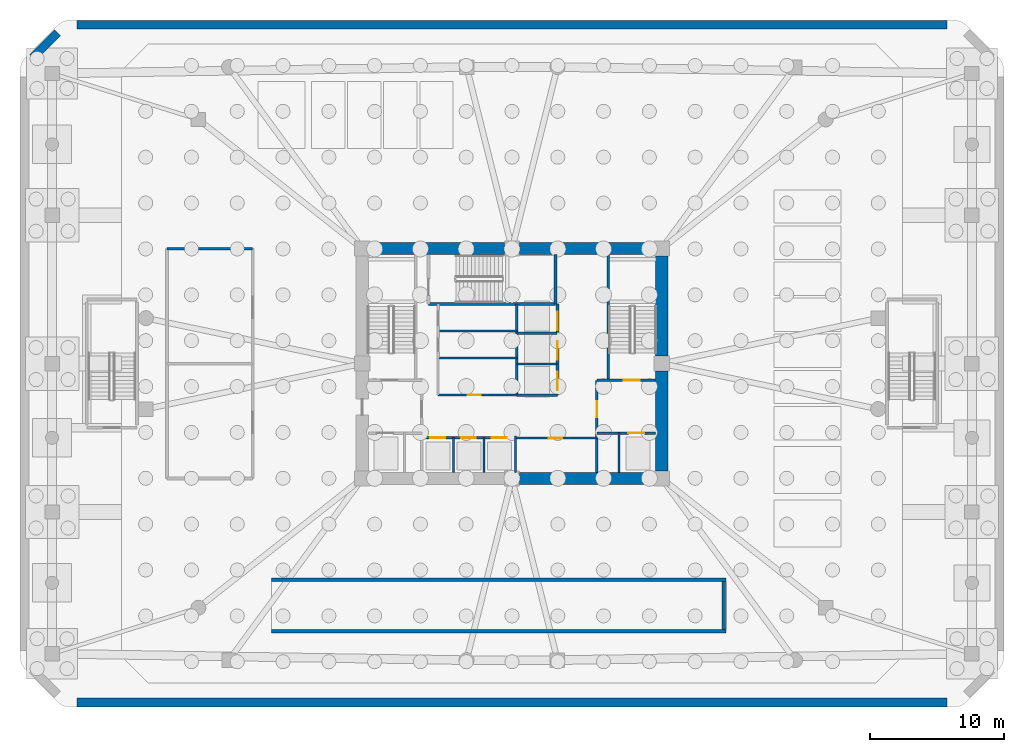
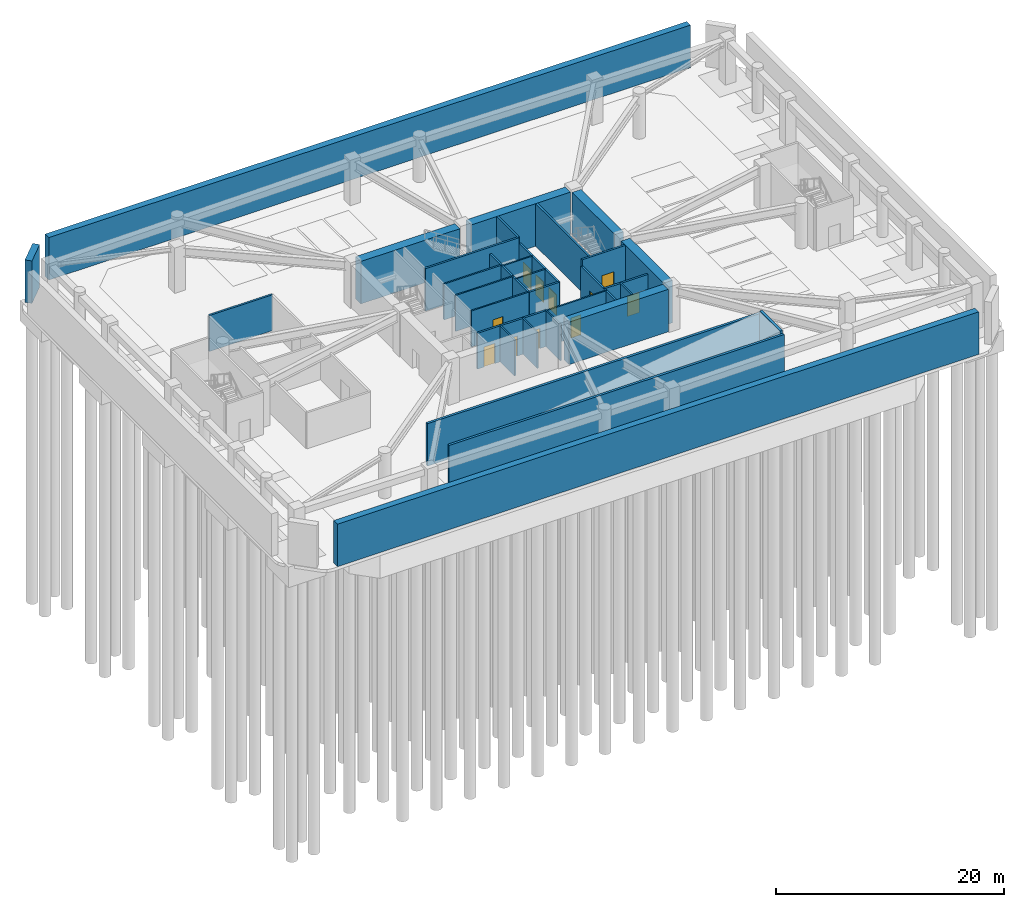
# One storey, part 5 of 11: 32 walls, 11 doors, 11 openings.
"""IFC4 building model written with IfcOpenShell, lengths in metres."""

from ifc_helpers import new_model, si_unit, derived_unit, direction, frame, frame_2d, origin, place, context, subcontext, project, spatial, rectangle, extrude, material, layer, layer_set, type_object, element, fill, save


model = new_model("IFC4")

# Units and contexts
model_context = context("Model", 3, precision=1e-05, world=origin(), true_north=direction((0.0, 1.0)))
body_context = subcontext(model_context, "Body", "Model", "MODEL_VIEW")
ifc_project = project(units=[si_unit("LENGTHUNIT", "METRE"), si_unit("AREAUNIT", "SQUARE_METRE"), si_unit("VOLUMEUNIT", "CUBIC_METRE"), si_unit("PLANEANGLEUNIT", "RADIAN"), si_unit("MASSUNIT", "GRAM", prefix="KILO"), derived_unit("THERMALTRANSMITTANCEUNIT", [(si_unit("POWERUNIT", "WATT"), 1), (si_unit("LENGTHUNIT", "METRE"), -2), (si_unit("THERMODYNAMICTEMPERATUREUNIT", "KELVIN"), -1)])], contexts=[model_context])

# Site, building, storey
site_placement = place(None, origin())
site = spatial("IfcSite", under=ifc_project, at=site_placement, CompositionType="ELEMENT")
building_placement = place(site_placement, origin())
building = spatial("IfcBuilding", under=site, at=building_placement, Name="Koralith Skygarden Medical Center", CompositionType="ELEMENT")
storey_placement = place(building_placement, frame((0.0, 0.0, -9.719970703125)))
storey = spatial("IfcBuildingStorey", under=building, at=storey_placement, Name="B2", CompositionType="ELEMENT", Elevation=-9.719970703125)

# Walls
ifc_material_1 = material(Name="Concrete C55/67", Category="concrete")
ifc_layer_1 = layer(ifc_material_1, 0.64990234375)
ifc_layer_set_1 = layer_set([ifc_layer_1], Name="Concrete C55/67")
wall_type_1 = type_object("IfcWallType", Name="Basement Retaining Wall 650", PredefinedType="SOLIDWALL", material=ifc_layer_set_1)
for number, where, z_axis, x_axis, name in (
    (1, (4.455078125, 0.550048828125, 0.0), (0.0, 0.0, 1.0), (1.0, 0.0, 0.0), "B2 Basement Retaining Wall S"),
    (2, (69.544921875, 51.25, 0.0), (0.0, 0.0, 1.0), (-1.0, 0.0, 0.0), "B2 Basement Retaining Wall N"),
):
    element("IfcWall", number, at=place(storey_placement, frame(where, z_axis=z_axis, x_axis=x_axis)), inside=storey, type_object=wall_type_1, Name=name, PredefinedType="SOLIDWALL", context=body_context, shape_type="SweptSolid", body=[
        extrude(rectangle(XDim=65.08984375, YDim=0.64990234375, at=frame_2d((32.544921875, 0.0))), origin(), (0.0, 0.0, 1.0), 4.56005859375),
    ])
wall_1_placement = place(storey_placement, frame((3.00390625, 50.64892578125, 0.0), z_axis=(0.0, 0.0, 1.0), x_axis=(-0.707106781187, -0.707106781187, 0.0)))
element("IfcWall", 3, at=wall_1_placement, inside=storey, type_object=wall_type_1, Name="B2 Basement Retaining Wall NW", PredefinedType="SOLIDWALL", context=body_context, shape_type="SweptSolid", body=[
    extrude(rectangle(XDim=2.62060546875, YDim=0.64990234375, at=frame_2d((1.310302734375, 0.0))), origin(), (0.0, 0.0, 1.0), 4.56005859375),
])

# Wall, opening, door
ifc_material_2 = material(Name="Gypsum Board Partition")
ifc_layer_2 = layer(ifc_material_2, 0.14990234375)
ifc_layer_set_2 = layer_set([ifc_layer_2], Name="Gypsum Board Partition")
wall_type_2 = type_object("IfcWallType", Name="Clinical Acoustic Partition 150", PredefinedType="PARTITIONING", material=ifc_layer_set_2)
wall_2_placement = place(storey_placement, frame((37.25, 20.320068359375, 0.0), z_axis=(0.0, 0.0, 1.0), x_axis=(1.0, 0.0, 0.0)))
wall_2 = element("IfcWall", 4, at=wall_2_placement, inside=storey, type_object=wall_type_2, Name="B2 Clinical Acoustic Partition 150 W-CORE-B2-PM-BN", PredefinedType="PARTITIONING", context=body_context, shape_type="SweptSolid", body=[
    extrude(rectangle(XDim=6.10009765625, YDim=0.14990234375, at=frame_2d((3.050048828125, 0.0))), origin(), (0.0, 0.0, 1.0), 3.849853515625),
])
opening_1_placement = place(wall_2_placement, frame((2.5, 0.0, 0.0)))
opening_1 = element("IfcOpeningElement", 5, at=opening_1_placement, cuts=wall_2, Name="Opening D-SUP", PredefinedType="OPENING", context=body_context, shape_type="SweptSolid", body=[
    extrude(rectangle(XDim=1.0, YDim=2.14990234375, at=frame_2d((0.5, 1.074951171875))), frame((0.0, 0.0849609375, 0.0), z_axis=(0.0, -1.0, 0.0), x_axis=(1.0, 0.0, 0.0)), (0.0, 0.0, 1.0), 0.169921875),
])
ifc_material_3 = material(Name="Aluminium 6063-T6", Category="aluminium")
door_type_1 = type_object("IfcDoorType", Name="Clinical Support Door D-SUP 1000", OperationType="NOTDEFINED", PredefinedType="DOOR", material=ifc_material_3)
door_1_placement = place(opening_1_placement, frame((1.0, 0.0, 0.0), z_axis=(0.0, 0.0, 1.0), x_axis=(-1.0, 0.0, 0.0)))
door_1 = element("IfcDoor", 6, at=door_1_placement, inside=storey, type_object=door_type_1, Name="B2 Sterile Vault Door", OperationType="SINGLE_SWING_LEFT", OverallHeight=2.14990234375, OverallWidth=1.0, PredefinedType="DOOR", context=body_context, shape_type="SweptSolid", body=[
    extrude(rectangle(XDim=1.0, YDim=2.14990234375, at=frame_2d((0.5, 1.074951171875))), frame((0.0, 0.02490234375, 0.0), z_axis=(0.0, -1.0, 0.0), x_axis=(1.0, 0.0, 0.0)), (0.0, 0.0, 1.0), 0.050048828125),
])
fill(opening_1, door_1)

wall_3_placement = place(storey_placement, frame((31.47998046875, 23.56005859375, 0.0), z_axis=(0.0, 0.0, 1.0), x_axis=(1.0, 0.0, 0.0)))
wall_3 = element("IfcWall", 7, at=wall_3_placement, inside=storey, type_object=wall_type_2, Name="B2 Clinical Acoustic Partition 150 W-CORE-B2-PH-BS", PredefinedType="PARTITIONING", context=body_context, shape_type="SweptSolid", body=[
    extrude(rectangle(XDim=5.89013671875, YDim=0.14990234375, at=frame_2d((2.945068359375, 0.0))), origin(), (0.0, 0.0, 1.0), 3.849853515625),
])
opening_2_placement = place(wall_3_placement, frame((2.199951171875, 0.0, 0.0)))
opening_2 = element("IfcOpeningElement", 8, at=opening_2_placement, cuts=wall_3, Name="Opening D-SUP", PredefinedType="OPENING", context=body_context, shape_type="SweptSolid", body=[
    extrude(rectangle(XDim=1.0, YDim=2.14990234375, at=frame_2d((0.5, 1.074951171875))), frame((0.0, 0.0849609375, 0.0), z_axis=(0.0, -1.0, 0.0), x_axis=(1.0, 0.0, 0.0)), (0.0, 0.0, 1.0), 0.169921875),
])
door_2_placement = place(opening_2_placement, origin())
door_2 = element("IfcDoor", 9, at=door_2_placement, inside=storey, type_object=door_type_1, Name="B2 Pharmacy Vault Door", OperationType="SINGLE_SWING_LEFT", OverallHeight=2.14990234375, OverallWidth=1.0, PredefinedType="DOOR", context=body_context, shape_type="SweptSolid", body=[
    extrude(rectangle(XDim=1.0, YDim=2.14990234375, at=frame_2d((0.5, 1.074951171875))), frame((0.0, 0.02490234375, 0.0), z_axis=(0.0, -1.0, 0.0), x_axis=(1.0, 0.0, 0.0)), (0.0, 0.0, 1.0), 0.050048828125),
])
fill(opening_2, door_2)

# Wall
wall_4_placement = place(storey_placement, frame((31.47998046875, 26.320068359375, 0.0), z_axis=(0.0, 0.0, 1.0), x_axis=(1.0, 0.0, 0.0)))
element("IfcWall", 10, at=wall_4_placement, inside=storey, type_object=wall_type_2, Name="B2 Clinical Acoustic Partition 150 W-CORE-B2-PH-BN", PredefinedType="PARTITIONING", context=body_context, shape_type="SweptSolid", body=[
    extrude(rectangle(XDim=5.89013671875, YDim=0.14990234375, at=frame_2d((2.945068359375, 0.0))), origin(), (0.0, 0.0, 1.0), 3.849853515625),
])

# Wall, opening, door
ifc_layer_3 = layer(ifc_material_2, 0.199951171875)
ifc_layer_set_3 = layer_set([ifc_layer_3], Name="Gypsum Board Partition")
wall_type_3 = type_object("IfcWallType", Name="Fire Shaft Wall 200", PredefinedType="SOLIDWALL", material=ifc_layer_set_3)
wall_5_placement = place(storey_placement, frame((43.35009765625, 20.699951171875, 0.0), z_axis=(0.0, 0.0, 1.0), x_axis=(1.0, 0.0, 0.0)))
wall_5 = element("IfcWall", 11, at=wall_5_placement, inside=storey, type_object=wall_type_3, Name="B2 Fire Shaft Wall 200 W-CORE-B2-FF2-N", PredefinedType="SOLIDWALL", context=body_context, shape_type="SweptSolid", body=[
    extrude(rectangle(XDim=4.39990234375, YDim=0.199951171875, at=frame_2d((2.199951171875, 0.0))), origin(), (0.0, 0.0, 1.0), 3.849853515625),
])
opening_3_placement = place(wall_5_placement, frame((2.35009765625, 0.0, 0.0)))
opening_3 = element("IfcOpeningElement", 12, at=opening_3_placement, cuts=wall_5, Name="Opening LD-FF", PredefinedType="OPENING", context=body_context, shape_type="SweptSolid", body=[
    extrude(rectangle(XDim=1.199951171875, YDim=2.14990234375, at=frame_2d((0.60009765625, 1.074951171875))), frame((0.0, 0.10986328125, 0.0), z_axis=(0.0, -1.0, 0.0), x_axis=(1.0, 0.0, 0.0)), (0.0, 0.0, 1.0), 0.219970703125),
])
ifc_material_4 = material(Name="Steel ASTM A500 Grade C", Category="steel")
door_type_2 = type_object("IfcDoorType", Name="Fire Lift Sliding Landing Door LD-FF 1200", OperationType="NOTDEFINED", PredefinedType="DOOR", material=ifc_material_4)
door_3_placement = place(opening_3_placement, origin())
door_3 = element("IfcDoor", 13, at=door_3_placement, inside=storey, type_object=door_type_2, Name="B2 Fire Service Elevator FF2 Landing Door", OperationType="SLIDING_TO_RIGHT", OverallHeight=2.14990234375, OverallWidth=1.199951171875, PredefinedType="DOOR", context=body_context, shape_type="SweptSolid", body=[
    extrude(rectangle(XDim=1.199951171875, YDim=2.14990234375, at=frame_2d((0.60009765625, 1.074951171875))), frame((0.0, 0.02490234375, 0.0), z_axis=(0.0, -1.0, 0.0), x_axis=(1.0, 0.0, 0.0)), (0.0, 0.0, 1.0), 0.050048828125),
])
fill(opening_3, door_3)

wall_6_placement = place(storey_placement, frame((43.35009765625, 17.75, 0.0), z_axis=(0.0, 0.0, 1.0), x_axis=(0.0, 1.0, 0.0)))
wall_6 = element("IfcWall", 14, at=wall_6_placement, inside=storey, type_object=wall_type_3, Name="B2 Fire Shaft Wall 200 W-CORE-B2-FSAEE-W", PredefinedType="SOLIDWALL", context=body_context, shape_type="SweptSolid", body=[
    extrude(rectangle(XDim=6.89990234375, YDim=0.199951171875, at=frame_2d((3.449951171875, 0.0))), origin(), (0.0, 0.0, 1.0), 3.849853515625),
])
opening_4_placement = place(wall_6_placement, frame((4.14990234375, 0.0, 0.0)))
opening_4 = element("IfcOpeningElement", 15, at=opening_4_placement, cuts=wall_6, Name="Opening D-ST60", PredefinedType="OPENING", context=body_context, shape_type="SweptSolid", body=[
    extrude(rectangle(XDim=1.199951171875, YDim=2.14990234375, at=frame_2d((0.60009765625, 1.074951171875))), frame((0.0, 0.10986328125, 0.0), z_axis=(0.0, -1.0, 0.0), x_axis=(1.0, 0.0, 0.0)), (0.0, 0.0, 1.0), 0.219970703125),
])
door_type_3 = type_object("IfcDoorType", Name="Smokeproof Stair Fire Door FD60S 1200", OperationType="NOTDEFINED", PredefinedType="DOOR", material=ifc_material_4)
door_4_placement = place(opening_4_placement, frame((1.199951171875, 0.0, 0.0), z_axis=(0.0, 0.0, 1.0), x_axis=(-1.0, 0.0, 0.0)))
door_4 = element("IfcDoor", 16, at=door_4_placement, inside=storey, type_object=door_type_3, Name="B2 East Firefighting Lobby Inner Fire Door", OperationType="SINGLE_SWING_RIGHT", OverallHeight=2.14990234375, OverallWidth=1.199951171875, PredefinedType="DOOR", context=body_context, shape_type="SweptSolid", body=[
    extrude(rectangle(XDim=1.199951171875, YDim=2.14990234375, at=frame_2d((0.60009765625, 1.074951171875))), frame((0.0, 0.02490234375, 0.0), z_axis=(0.0, -1.0, 0.0), x_axis=(1.0, 0.0, 0.0)), (0.0, 0.0, 1.0), 0.050048828125),
])
fill(opening_4, door_4)

# Wall, openings, doors
wall_7_placement = place(storey_placement, frame((30.25, 20.360107421875, 0.0), z_axis=(0.0, 0.0, 1.0), x_axis=(1.0, 0.0, 0.0)))
wall_7 = element("IfcWall", 17, at=wall_7_placement, inside=storey, type_object=wall_type_3, Name="B2 Fire Shaft Wall 200 W-CORE-B2-PL-N", PredefinedType="SOLIDWALL", context=body_context, shape_type="SweptSolid", body=[
    extrude(rectangle(XDim=7.0, YDim=0.199951171875, at=frame_2d((3.5, 0.0))), origin(), (0.0, 0.0, 1.0), 3.849853515625),
])
opening_5_placement = place(wall_7_placement, frame((0.64990234375, 0.0, 0.0)))
opening_5 = element("IfcOpeningElement", 18, at=opening_5_placement, cuts=wall_7, Name="Opening LD-P", PredefinedType="OPENING", context=body_context, shape_type="SweptSolid", body=[
    extrude(rectangle(XDim=1.10009765625, YDim=2.14990234375, at=frame_2d((0.550048828125, 1.074951171875))), frame((0.0, 0.10986328125, 0.0), z_axis=(0.0, -1.0, 0.0), x_axis=(1.0, 0.0, 0.0)), (0.0, 0.0, 1.0), 0.219970703125),
])
opening_6_placement = place(wall_7_placement, frame((2.949951171875, 0.0, 0.0)))
opening_6 = element("IfcOpeningElement", 19, at=opening_6_placement, cuts=wall_7, Name="Opening LD-P", PredefinedType="OPENING", context=body_context, shape_type="SweptSolid", body=[
    extrude(rectangle(XDim=1.10009765625, YDim=2.14990234375, at=frame_2d((0.550048828125, 1.074951171875))), frame((0.0, 0.10986328125, 0.0), z_axis=(0.0, -1.0, 0.0), x_axis=(1.0, 0.0, 0.0)), (0.0, 0.0, 1.0), 0.219970703125),
])
opening_7_placement = place(wall_7_placement, frame((5.25, 0.0, 0.0)))
opening_7 = element("IfcOpeningElement", 20, at=opening_7_placement, cuts=wall_7, Name="Opening LD-P", PredefinedType="OPENING", context=body_context, shape_type="SweptSolid", body=[
    extrude(rectangle(XDim=1.10009765625, YDim=2.14990234375, at=frame_2d((0.550048828125, 1.074951171875))), frame((0.0, 0.10986328125, 0.0), z_axis=(0.0, -1.0, 0.0), x_axis=(1.0, 0.0, 0.0)), (0.0, 0.0, 1.0), 0.219970703125),
])
door_type_4 = type_object("IfcDoorType", Name="Passenger Lift Sliding Landing Door LD-P 1100", OperationType="NOTDEFINED", PredefinedType="DOOR", material=ifc_material_4)
door_5_placement = place(opening_5_placement, origin())
door_5 = element("IfcDoor", 21, at=door_5_placement, inside=storey, type_object=door_type_4, Name="B2 Passenger Elevator PL1 Landing Door", OperationType="SLIDING_TO_LEFT", OverallHeight=2.14990234375, OverallWidth=1.10009765625, PredefinedType="DOOR", context=body_context, shape_type="SweptSolid", body=[
    extrude(rectangle(XDim=1.10009765625, YDim=2.14990234375, at=frame_2d((0.550048828125, 1.074951171875))), frame((0.0, 0.02490234375, 0.0), z_axis=(0.0, -1.0, 0.0), x_axis=(1.0, 0.0, 0.0)), (0.0, 0.0, 1.0), 0.050048828125),
])
fill(opening_5, door_5)
door_6_placement = place(opening_6_placement, origin())
door_6 = element("IfcDoor", 22, at=door_6_placement, inside=storey, type_object=door_type_4, Name="B2 Passenger Elevator PL2 Landing Door", OperationType="SLIDING_TO_LEFT", OverallHeight=2.14990234375, OverallWidth=1.10009765625, PredefinedType="DOOR", context=body_context, shape_type="SweptSolid", body=[
    extrude(rectangle(XDim=1.10009765625, YDim=2.14990234375, at=frame_2d((0.550048828125, 1.074951171875))), frame((0.0, 0.02490234375, 0.0), z_axis=(0.0, -1.0, 0.0), x_axis=(1.0, 0.0, 0.0)), (0.0, 0.0, 1.0), 0.050048828125),
])
fill(opening_6, door_6)
door_7_placement = place(opening_7_placement, origin())
door_7 = element("IfcDoor", 23, at=door_7_placement, inside=storey, type_object=door_type_4, Name="B2 Passenger Elevator PL3 Landing Door", OperationType="SLIDING_TO_LEFT", OverallHeight=2.14990234375, OverallWidth=1.10009765625, PredefinedType="DOOR", context=body_context, shape_type="SweptSolid", body=[
    extrude(rectangle(XDim=1.10009765625, YDim=2.14990234375, at=frame_2d((0.550048828125, 1.074951171875))), frame((0.0, 0.02490234375, 0.0), z_axis=(0.0, -1.0, 0.0), x_axis=(1.0, 0.0, 0.0)), (0.0, 0.0, 1.0), 0.050048828125),
])
fill(opening_7, door_7)

# Walls
wall_8_placement = place(storey_placement, frame((37.35009765625, 23.5400390625, 0.0), z_axis=(0.0, 0.0, 1.0), x_axis=(0.0, 1.0, 0.0)))
element("IfcWall", 24, at=wall_8_placement, inside=storey, type_object=wall_type_3, Name="B2 Fire Shaft Wall 200 W-CORE-B2-SV-W", PredefinedType="SOLIDWALL", context=body_context, shape_type="SweptSolid", body=[
    extrude(rectangle(XDim=6.820068359375, YDim=0.199951171875, at=frame_2d((3.41015625, 0.0))), origin(), (0.0, 0.0, 1.0), 3.849853515625),
])
wall_9_placement = place(storey_placement, frame((37.35009765625, 23.5400390625, 0.0), z_axis=(0.0, 0.0, 1.0), x_axis=(1.0, 0.0, 0.0)))
element("IfcWall", 25, at=wall_9_placement, inside=storey, type_object=wall_type_3, Name="B2 Fire Shaft Wall 200 W-CORE-B2-SV-S", PredefinedType="SOLIDWALL", context=body_context, shape_type="SweptSolid", body=[
    extrude(rectangle(XDim=3.0498046875, YDim=0.199951171875, at=frame_2d((1.52490234375, 0.0))), origin(), (0.0, 0.0, 1.0), 3.849853515625),
])

# Wall, openings, doors
wall_10_placement = place(storey_placement, frame((40.39990234375, 23.5400390625, 0.0), z_axis=(0.0, 0.0, 1.0), x_axis=(0.0, 1.0, 0.0)))
wall_10 = element("IfcWall", 26, at=wall_10_placement, inside=storey, type_object=wall_type_3, Name="B2 Fire Shaft Wall 200 W-CORE-B2-SV-E", PredefinedType="SOLIDWALL", context=body_context, shape_type="SweptSolid", body=[
    extrude(rectangle(XDim=6.820068359375, YDim=0.199951171875, at=frame_2d((3.41015625, 0.0))), origin(), (0.0, 0.0, 1.0), 3.849853515625),
])
opening_8_placement = place(wall_10_placement, frame((0.35009765625, 0.0, 0.0)))
opening_8 = element("IfcOpeningElement", 27, at=opening_8_placement, cuts=wall_10, Name="Opening LD-SV", PredefinedType="OPENING", context=body_context, shape_type="SweptSolid", body=[
    extrude(rectangle(XDim=1.39990234375, YDim=2.199951171875, at=frame_2d((0.699951171875, 1.10009765625))), frame((0.0, 0.10986328125, 0.0), z_axis=(0.0, -1.0, 0.0), x_axis=(1.0, 0.0, 0.0)), (0.0, 0.0, 1.0), 0.219970703125),
])
opening_9_placement = place(wall_10_placement, frame((2.64990234375, 0.0, 0.0)))
opening_9 = element("IfcOpeningElement", 28, at=opening_9_placement, cuts=wall_10, Name="Opening LD-SV", PredefinedType="OPENING", context=body_context, shape_type="SweptSolid", body=[
    extrude(rectangle(XDim=1.39990234375, YDim=2.199951171875, at=frame_2d((0.699951171875, 1.10009765625))), frame((0.0, 0.10986328125, 0.0), z_axis=(0.0, -1.0, 0.0), x_axis=(1.0, 0.0, 0.0)), (0.0, 0.0, 1.0), 0.219970703125),
])
opening_10_placement = place(wall_10_placement, frame((4.85009765625, 0.0, 0.0)))
opening_10 = element("IfcOpeningElement", 29, at=opening_10_placement, cuts=wall_10, Name="Opening LD-SV", PredefinedType="OPENING", context=body_context, shape_type="SweptSolid", body=[
    extrude(rectangle(XDim=1.39990234375, YDim=2.199951171875, at=frame_2d((0.699951171875, 1.10009765625))), frame((0.0, 0.10986328125, 0.0), z_axis=(0.0, -1.0, 0.0), x_axis=(1.0, 0.0, 0.0)), (0.0, 0.0, 1.0), 0.219970703125),
])
door_type_5 = type_object("IfcDoorType", Name="Bed Lift Sliding Landing Door LD-SV 1400", OperationType="NOTDEFINED", PredefinedType="DOOR", material=ifc_material_4)
door_8_placement = place(opening_8_placement, origin())
door_8 = element("IfcDoor", 30, at=door_8_placement, inside=storey, type_object=door_type_5, Name="B2 Bed Elevator BD1 Landing Door", OperationType="SLIDING_TO_LEFT", OverallHeight=2.199951171875, OverallWidth=1.39990234375, PredefinedType="DOOR", context=body_context, shape_type="SweptSolid", body=[
    extrude(rectangle(XDim=1.39990234375, YDim=2.199951171875, at=frame_2d((0.699951171875, 1.10009765625))), frame((0.0, 0.02490234375, 0.0), z_axis=(0.0, -1.0, 0.0), x_axis=(1.0, 0.0, 0.0)), (0.0, 0.0, 1.0), 0.050048828125),
])
fill(opening_8, door_8)
door_9_placement = place(opening_9_placement, origin())
door_9 = element("IfcDoor", 31, at=door_9_placement, inside=storey, type_object=door_type_5, Name="B2 Service Elevator BD2 Landing Door", OperationType="SLIDING_TO_LEFT", OverallHeight=2.199951171875, OverallWidth=1.39990234375, PredefinedType="DOOR", context=body_context, shape_type="SweptSolid", body=[
    extrude(rectangle(XDim=1.39990234375, YDim=2.199951171875, at=frame_2d((0.699951171875, 1.10009765625))), frame((0.0, 0.02490234375, 0.0), z_axis=(0.0, -1.0, 0.0), x_axis=(1.0, 0.0, 0.0)), (0.0, 0.0, 1.0), 0.050048828125),
])
fill(opening_9, door_9)
door_10_placement = place(opening_10_placement, origin())
door_10 = element("IfcDoor", 32, at=door_10_placement, inside=storey, type_object=door_type_5, Name="B2 Trauma Elevator TR1 Landing Door", OperationType="SLIDING_TO_RIGHT", OverallHeight=2.199951171875, OverallWidth=1.39990234375, PredefinedType="DOOR", context=body_context, shape_type="SweptSolid", body=[
    extrude(rectangle(XDim=1.39990234375, YDim=2.199951171875, at=frame_2d((0.699951171875, 1.10009765625))), frame((0.0, 0.02490234375, 0.0), z_axis=(0.0, -1.0, 0.0), x_axis=(1.0, 0.0, 0.0)), (0.0, 0.0, 1.0), 0.050048828125),
])
fill(opening_10, door_10)

# Walls
wall_11_placement = place(storey_placement, frame((11.199951171875, 34.5, 0.0), z_axis=(0.0, 0.0, 1.0), x_axis=(1.0, 0.0, 0.0)))
element("IfcWall", 33, at=wall_11_placement, inside=storey, type_object=wall_type_3, Name="B2 Fire Shaft Wall 200 W-BASE-B2-BLKN", PredefinedType="SOLIDWALL", context=body_context, shape_type="SweptSolid", body=[
    extrude(rectangle(XDim=6.400146484375, YDim=0.199951171875, at=frame_2d((3.2001953125, 0.0))), origin(), (0.0, 0.0, 1.0), 3.849853515625),
])
ifc_material_5 = material(Name="Concrete C70/85", Category="concrete")
ifc_layer_4 = layer(ifc_material_5, 0.89990234375)
ifc_layer_set_4 = layer_set([ifc_layer_4], Name="Concrete C70/85")
wall_type_4 = type_object("IfcWallType", Name="Lower Core Shear Wall 900", PredefinedType="SHEAR", material=ifc_layer_set_4)
wall_12_placement = place(storey_placement, frame((37.56494140625, 17.300048828125, 0.0), z_axis=(0.0, 0.0, 1.0), x_axis=(1.0, 0.0, 0.0)))
element("IfcWall", 34, at=wall_12_placement, inside=storey, type_object=wall_type_4, Name="B2 Core Shear Wall Segment 2", PredefinedType="SHEAR", context=body_context, shape_type="SweptSolid", body=[
    extrude(rectangle(XDim=10.070068359375, YDim=0.89990234375, at=frame_2d((5.03515625, 0.0))), origin(), (0.0, 0.0, 1.0), 4.56005859375),
])
for number, where, z_axis, x_axis, name in (
    (35, (48.199951171875, 17.864990234375, 0.0), (0.0, 0.0, 1.0), (0.0, 1.0, 0.0), "B2 Core Shear Wall Segment 3"),
    (36, (48.199951171875, 26.465087890625, 0.0), (0.0, 0.0, 1.0), (0.0, 1.0, 0.0), "B2 Core Shear Wall Segment 4"),
):
    element("IfcWall", number, at=place(storey_placement, frame(where, z_axis=z_axis, x_axis=x_axis)), inside=storey, type_object=wall_type_4, Name=name, PredefinedType="SHEAR", context=body_context, shape_type="SweptSolid", body=[
        extrude(rectangle(XDim=7.469970703125, YDim=0.89990234375, at=frame_2d((3.73486328125, 0.0))), origin(), (0.0, 0.0, 1.0), 4.56005859375),
    ])
for number, where, z_axis, x_axis, name in (
    (37, (47.635009765625, 34.5, 0.0), (0.0, 0.0, 1.0), (-1.0, 0.0, 0.0), "B2 Core Shear Wall Segment 5"),
    (38, (36.43505859375, 34.5, 0.0), (0.0, 0.0, 1.0), (-1.0, 0.0, 0.0), "B2 Core Shear Wall Segment 6"),
):
    element("IfcWall", number, at=place(storey_placement, frame(where, z_axis=z_axis, x_axis=x_axis)), inside=storey, type_object=wall_type_4, Name=name, PredefinedType="SHEAR", context=body_context, shape_type="SweptSolid", body=[
        extrude(rectangle(XDim=10.070068359375, YDim=0.89990234375, at=frame_2d((5.03515625, 0.0))), origin(), (0.0, 0.0, 1.0), 4.56005859375),
    ])
ifc_layer_5 = layer(ifc_material_2, 0.1650390625)
ifc_layer_set_5 = layer_set([ifc_layer_5], Name="Gypsum Board Partition")
wall_type_5 = type_object("IfcWallType", Name="Plumbing Wet Wall 165", PredefinedType="PLUMBINGWALL", material=ifc_layer_set_5)
wall_13_placement = place(storey_placement, frame((31.47998046875, 28.340087890625, 0.0), z_axis=(0.0, 0.0, 1.0), x_axis=(1.0, 0.0, 0.0)))
element("IfcWall", 39, at=wall_13_placement, inside=storey, type_object=wall_type_5, Name="B2 Plumbing Wet Wall 165 W-CORE-B2-FLEX-H0", PredefinedType="PLUMBINGWALL", context=body_context, shape_type="SweptSolid", body=[
    extrude(rectangle(XDim=5.8701171875, YDim=0.1650390625, at=frame_2d((2.93505859375, 0.0))), origin(), (0.0, 0.0, 1.0), 3.849853515625),
])
ifc_layer_6 = layer(ifc_material_2, 0.14990234375)
ifc_layer_set_6 = layer_set([ifc_layer_6], Name="Gypsum Board Partition")
wall_type_6 = type_object("IfcWallType", Name="Shaft Partition Wall 150", PredefinedType="PARTITIONING", material=ifc_layer_set_6)
wall_14_placement = place(storey_placement, frame((45.02001953125, 17.75, 0.0), z_axis=(0.0, 0.0, 1.0), x_axis=(0.0, 1.0, 0.0)))
element("IfcWall", 40, at=wall_14_placement, inside=storey, type_object=wall_type_6, Name="B2 Shaft Partition Wall 150 W-CORE-B2-RSRE-DIV", PredefinedType="PARTITIONING", context=body_context, shape_type="SweptSolid", body=[
    extrude(rectangle(XDim=2.949951171875, YDim=0.14990234375, at=frame_2d((1.47509765625, 0.0))), origin(), (0.0, 0.0, 1.0), 3.849853515625),
])
for number, where, z_axis, x_axis, name in (
    (41, (32.6201171875, 17.75, 0.0), (0.0, 0.0, 1.0), (0.0, 1.0, 0.0), "B2 Shaft Partition Wall 150 W-CORE-B2-PL-D1"),
    (42, (34.919921875, 17.75, 0.0), (0.0, 0.0, 1.0), (0.0, 1.0, 0.0), "B2 Shaft Partition Wall 150 W-CORE-B2-PL-D2"),
):
    element("IfcWall", number, at=place(storey_placement, frame(where, z_axis=z_axis, x_axis=x_axis)), inside=storey, type_object=wall_type_6, Name=name, PredefinedType="PARTITIONING", context=body_context, shape_type="SweptSolid", body=[
        extrude(rectangle(XDim=2.610107421875, YDim=0.14990234375, at=frame_2d((1.30517578125, 0.0))), origin(), (0.0, 0.0, 1.0), 3.849853515625),
    ])
wall_15_placement = place(storey_placement, frame((37.25, 17.75, 0.0), z_axis=(0.0, 0.0, 1.0), x_axis=(0.0, 1.0, 0.0)))
element("IfcWall", 43, at=wall_15_placement, inside=storey, type_object=wall_type_6, Name="B2 Shaft Partition Wall 150 W-CORE-B2-PL-PM-SEP", PredefinedType="PARTITIONING", context=body_context, shape_type="SweptSolid", body=[
    extrude(rectangle(XDim=2.72998046875, YDim=0.14990234375, at=frame_2d((1.364990234375, 0.0))), origin(), (0.0, 0.0, 1.0), 3.849853515625),
])
for number, where, z_axis, x_axis, name in (
    (44, (37.3701171875, 25.8701171875, 0.0), (0.0, 0.0, 1.0), (1.0, 0.0, 0.0), "B2 Shaft Partition Wall 150 W-CORE-B2-SV-D1"),
    (45, (37.3701171875, 28.169921875, 0.0), (0.0, 0.0, 1.0), (1.0, 0.0, 0.0), "B2 Shaft Partition Wall 150 W-CORE-B2-SV-D2"),
):
    element("IfcWall", number, at=place(storey_placement, frame(where, z_axis=z_axis, x_axis=x_axis)), inside=storey, type_object=wall_type_6, Name=name, PredefinedType="PARTITIONING", context=body_context, shape_type="SweptSolid", body=[
        extrude(rectangle(XDim=3.009765625, YDim=0.14990234375, at=frame_2d((1.5048828125, 0.0))), origin(), (0.0, 0.0, 1.0), 3.849853515625),
    ])
ifc_material_6 = material(Name="Concrete C45/55", Category="concrete")
ifc_layer_7 = layer(ifc_material_6, 0.199951171875)
ifc_layer_set_7 = layer_set([ifc_layer_7], Name="Concrete C45/55")
wall_type_7 = type_object("IfcWallType", Name="Structural Stair Shaft Wall 200", PredefinedType="SHEAR", material=ifc_layer_set_7)
wall_16_placement = place(storey_placement, frame((44.199951171875, 24.64990234375, 0.0), z_axis=(0.0, 0.0, 1.0), x_axis=(0.0, 1.0, 0.0)))
element("IfcWall", 46, at=wall_16_placement, inside=storey, type_object=wall_type_7, Name="B2 Structural Stair Shaft Wall 200 W-CORE-B2-ST2-W", PredefinedType="SHEAR", context=body_context, shape_type="SweptSolid", body=[
    extrude(rectangle(XDim=9.400146484375, YDim=0.199951171875, at=frame_2d((4.7001953125, 0.0))), origin(), (0.0, 0.0, 1.0), 4.56005859375),
])

# Wall, opening, door
wall_17_placement = place(storey_placement, frame((43.35009765625, 24.64990234375, 0.0), z_axis=(0.0, 0.0, 1.0), x_axis=(1.0, 0.0, 0.0)))
wall_17 = element("IfcWall", 47, at=wall_17_placement, inside=storey, type_object=wall_type_7, Name="B2 Structural Stair Shaft Wall 200 W-CORE-B2-ST2-S", PredefinedType="SHEAR", context=body_context, shape_type="SweptSolid", body=[
    extrude(rectangle(XDim=4.39990234375, YDim=0.199951171875, at=frame_2d((2.199951171875, 0.0))), origin(), (0.0, 0.0, 1.0), 4.56005859375),
])
opening_11_placement = place(wall_17_placement, frame((2.0, 0.0, 0.0)))
opening_11 = element("IfcOpeningElement", 48, at=opening_11_placement, cuts=wall_17, Name="Opening D-ST60", PredefinedType="OPENING", context=body_context, shape_type="SweptSolid", body=[
    extrude(rectangle(XDim=1.199951171875, YDim=2.14990234375, at=frame_2d((0.60009765625, 1.074951171875))), frame((0.0, 0.10986328125, 0.0), z_axis=(0.0, -1.0, 0.0), x_axis=(1.0, 0.0, 0.0)), (0.0, 0.0, 1.0), 0.219970703125),
])
door_11_placement = place(opening_11_placement, origin())
door_11 = element("IfcDoor", 49, at=door_11_placement, inside=storey, type_object=door_type_3, Name="B2 Exit Stair ST2 Fire Door", OperationType="SINGLE_SWING_RIGHT", OverallHeight=2.14990234375, OverallWidth=1.199951171875, PredefinedType="DOOR", context=body_context, shape_type="SweptSolid", body=[
    extrude(rectangle(XDim=1.199951171875, YDim=2.14990234375, at=frame_2d((0.60009765625, 1.074951171875))), frame((0.0, 0.02490234375, 0.0), z_axis=(0.0, -1.0, 0.0), x_axis=(1.0, 0.0, 0.0)), (0.0, 0.0, 1.0), 0.050048828125),
])
fill(opening_11, door_11)

# Walls
wall_18_placement = place(storey_placement, frame((30.75, 30.360107421875, 0.0), z_axis=(0.0, 0.0, 1.0), x_axis=(1.0, 0.0, 0.0)))
element("IfcWall", 50, at=wall_18_placement, inside=storey, type_object=wall_type_7, Name="B2 Structural Stair Shaft Wall 200 W-CORE-B2-ST3-S", PredefinedType="SHEAR", context=body_context, shape_type="SweptSolid", body=[
    extrude(rectangle(XDim=9.5, YDim=0.199951171875, at=frame_2d((4.75, 0.0))), origin(), (0.0, 0.0, 1.0), 4.56005859375),
])
wall_19_placement = place(storey_placement, frame((40.25, 30.360107421875, 0.0), z_axis=(0.0, 0.0, 1.0), x_axis=(0.0, 1.0, 0.0)))
element("IfcWall", 51, at=wall_19_placement, inside=storey, type_object=wall_type_7, Name="B2 Structural Stair Shaft Wall 200 W-CORE-B2-ST3-E", PredefinedType="SHEAR", context=body_context, shape_type="SweptSolid", body=[
    extrude(rectangle(XDim=3.68994140625, YDim=0.199951171875, at=frame_2d((1.844970703125, 0.0))), origin(), (0.0, 0.0, 1.0), 4.56005859375),
])
ifc_layer_8 = layer(ifc_material_6, 0.25)
ifc_layer_set_8 = layer_set([ifc_layer_8], Name="Concrete C45/55")
wall_type_8 = type_object("IfcWallType", Name="Vehicle Ramp Enclosure Wall 250", PredefinedType="SOLIDWALL", material=ifc_layer_set_8)
for number, where, z_axis, x_axis, name in (
    (52, (19.0, 5.8798828125, 0.0), (0.0, 0.0, 1.0), (1.0, 0.0, 0.0), "B2 Car Park Ramp R1 Side Wall S"),
    (53, (19.0, 9.719970703125, 0.0), (0.0, 0.0, 1.0), (1.0, 0.0, 0.0), "B2 Car Park Ramp R1 Side Wall N"),
):
    element("IfcWall", number, at=place(storey_placement, frame(where, z_axis=z_axis, x_axis=x_axis)), inside=storey, type_object=wall_type_8, Name=name, PredefinedType="SOLIDWALL", context=body_context, shape_type="SweptSolid", body=[
        extrude(rectangle(XDim=34.0, YDim=0.25, at=frame_2d((17.0, 0.0))), origin(), (0.0, 0.0, 1.0), 4.56005859375),
    ])
wall_20_placement = place(storey_placement, frame((52.85009765625, 6.0, 0.0), z_axis=(0.0, 0.0, 1.0), x_axis=(0.0, 1.0, 0.0)))
element("IfcWall", 54, at=wall_20_placement, inside=storey, type_object=wall_type_8, Name="B2 Car Park Ramp R1 Top Support Wall", PredefinedType="SOLIDWALL", context=body_context, shape_type="SweptSolid", body=[
    extrude(rectangle(XDim=3.60009765625, YDim=0.25, at=frame_2d((1.800048828125, 0.0))), origin(), (0.0, 0.0, 1.0), 4.85986328125),
])

save(model, "model.ifc")
